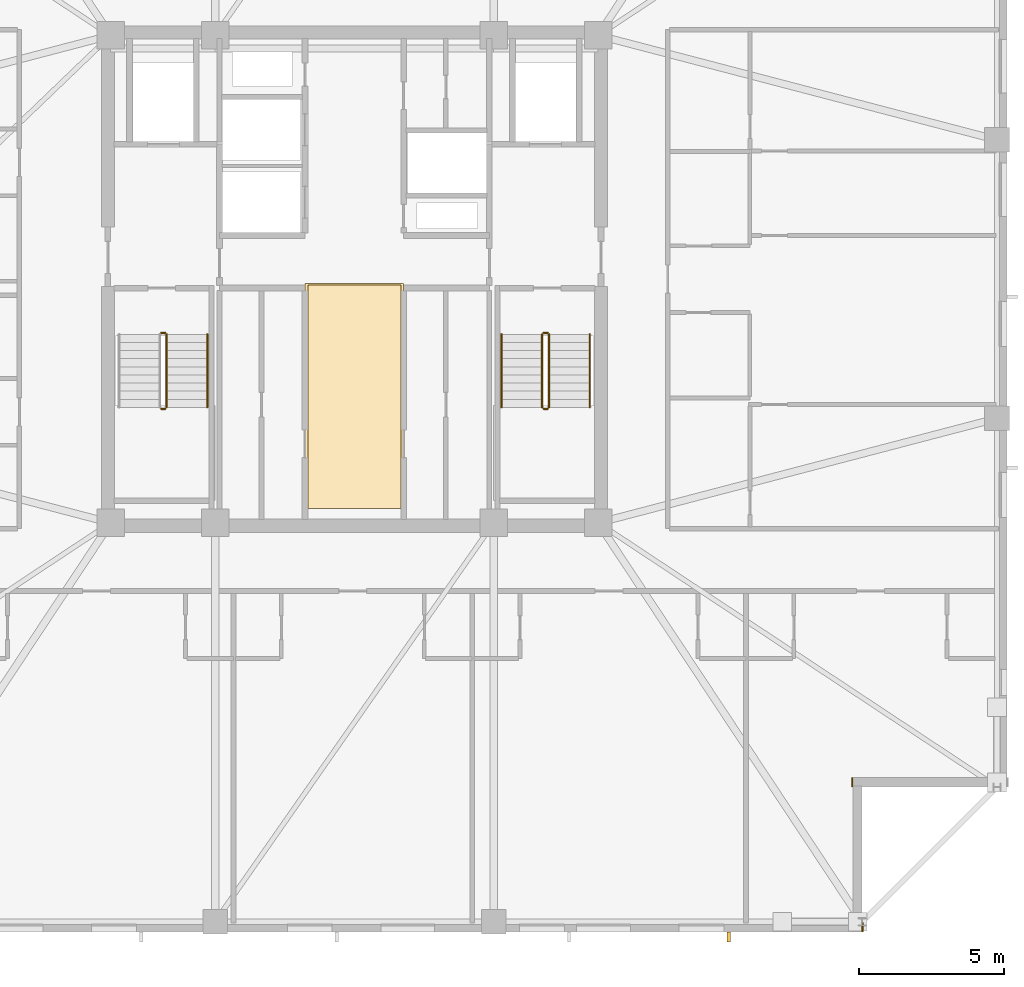
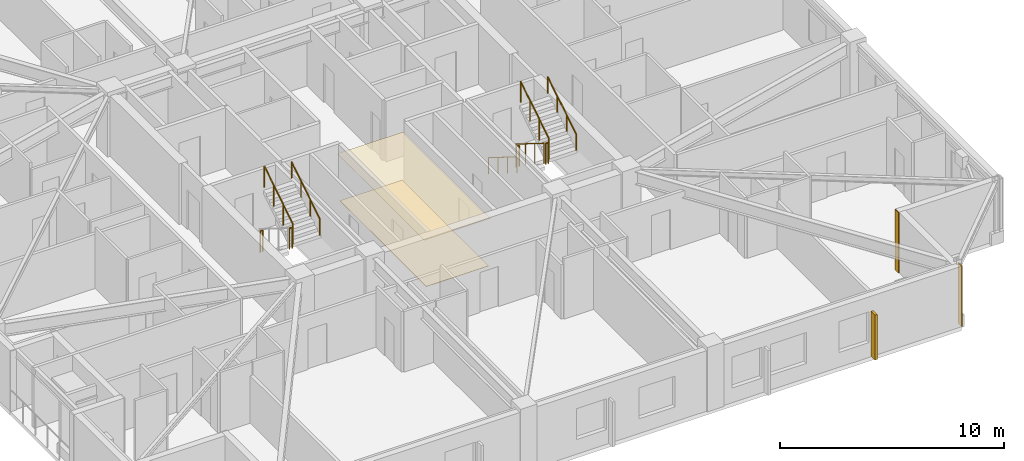
# One storey, part 14 of 17: 10 railings, 4 coverings, 1 shading device.
"""IFC4 building model written with IfcOpenShell, lengths in metres."""

from ifc_helpers import new_model, si_unit, direction, frame, frame_2d, origin, origin_2d, place, context, subcontext, project, spatial, polyline, rectangle, circle, outline, extrude, material, layer, layer_set, type_object, element, save


model = new_model("IFC4")

# Units and contexts
model_context = context("Model", 3, precision=1e-05, world=origin(), true_north=direction((0.0, 1.0)))
body_context = subcontext(model_context, "Body", "Model", "MODEL_VIEW")
ifc_project = project(units=[si_unit("LENGTHUNIT", "METRE"), si_unit("AREAUNIT", "SQUARE_METRE"), si_unit("VOLUMEUNIT", "CUBIC_METRE"), si_unit("PLANEANGLEUNIT", "RADIAN"), si_unit("MASSUNIT", "GRAM", prefix="KILO")], contexts=[model_context])

# Site, building, storey
site_placement = place(None, origin())
site = spatial("IfcSite", under=ifc_project, at=site_placement, CompositionType="ELEMENT")
building_placement = place(site_placement, origin())
building = spatial("IfcBuilding", under=site, at=building_placement, Name="Cairnveth Concourse Tower", CompositionType="ELEMENT")
storey_placement = place(building_placement, frame((0.0, 0.0, 248.0)))
storey = spatial("IfcBuildingStorey", under=building, at=storey_placement, Name="L68", CompositionType="ELEMENT", Elevation=248.0)

# Coverings
ifc_material_1 = material(Name="Acoustic Mineral Fibre Ceiling", Category="gypsum")
ifc_layer_1 = layer(ifc_material_1, 0.02490234375)
ifc_layer_set_1 = layer_set([ifc_layer_1], Name="Acoustic Mineral Fibre Ceiling")
covering_type_1 = type_object("IfcCoveringType", Name="ACOUSTIC MINERAL FIBRE CEILING 25", PredefinedType="CEILING", material=ifc_layer_set_1)
covering_1_placement = place(storey_placement, frame((0.0, 0.0, 2.55810546875)))
element("IfcCovering", 1, at=covering_1_placement, inside=storey, type_object=covering_type_1, Name="Lift Lobby Acoustic Ceiling L68", PredefinedType="CEILING", context=body_context, shape_type="SweptSolid", body=[
    extrude(outline(polyline([(50.300048828125, 31.10009765625), (53.699951171875, 31.10009765625), (53.699951171875, 38.85009765625), (50.300048828125, 38.85009765625), (50.300048828125, 31.10009765625)])), origin(), (0.0, 0.0, 1.0), 0.02490234375),
])
ifc_material_2 = material(Name="Dressed Melbourne Bluestone Cladding", Category="masonry")
ifc_layer_2 = layer(ifc_material_2, 0.050048828125)
ifc_layer_set_2 = layer_set([ifc_layer_2], Name="Dressed Melbourne Bluestone Cladding")
covering_type_2 = type_object("IfcCoveringType", Name="DRESSED BLUESTONE PLINTH CLADDING 50", PredefinedType="CLADDING", material=ifc_layer_set_2)
for number, where, z_axis, x_axis, name in (
    (2, (69.159912109375, 21.820068359375, 0.0), (0.0, 0.0, 1.0), (0.0, -1.0, 0.0), "Melbourne Bluestone Corner Quoin L68-1031"),
    (3, (69.52001953125, 16.820068359375, 0.0), (0.0, 0.0, 1.0), (0.0, -1.0, 0.0), "Melbourne Bluestone Corner Quoin L68-1032"),
):
    element("IfcCovering", number, at=place(storey_placement, frame(where, z_axis=z_axis, x_axis=x_axis)), inside=storey, type_object=covering_type_2, Name=name, PredefinedType="CLADDING", context=body_context, shape_type="SweptSolid", body=[
        extrude(rectangle(XDim=0.320068359375, YDim=0.050048828125, at=frame_2d((0.16015625, 0.0))), origin(), (0.0, 0.0, 1.0), 3.2900390625),
    ])

# Shading device
ifc_material_3 = material(Name="Architectural Bronze Anodised Aluminium 6063-T6", Category="aluminium")
shading_device_type = type_object("IfcShadingDeviceType", Name="GOTHIC BRONZE VERTICAL LANCET FIN", PredefinedType="USERDEFINED", material=ifc_material_3)
shading_device_placement = place(storey_placement, frame((64.8974609375, 16.324951171875, 0.030029296875), z_axis=(0.0, 0.0, 1.0), x_axis=(1.0, 0.0, 0.0)))
element("IfcShadingDevice", 4, at=shading_device_placement, inside=storey, type_object=shading_device_type, Name="Gothic Bronze Vertical Fin L68-9-1", ObjectType="VERTICAL FIN", PredefinedType="USERDEFINED", context=body_context, shape_type="SweptSolid", body=[
    extrude(rectangle(XDim=0.1201171875, YDim=0.360107421875, at=origin_2d()), origin(), (0.0, 0.0, 1.0), 2.43798828125),
])

# Railings
ifc_material_4 = material(Name="Steel Grade 350", Category="steel")
railing_type_1 = type_object("IfcRailingType", Name="STAIR GUARDRAIL 1150", PredefinedType="GUARDRAIL", material=ifc_material_4)
railing_1_placement = place(storey_placement, frame((45.340087890625, 34.530029296875, 1.75)))
element("IfcRailing", 5, at=railing_1_placement, inside=storey, type_object=railing_type_1, Name="L68 ST-1 stair guard 2", PredefinedType="GUARDRAIL", context=body_context, shape_type="SweptSolid", body=[
    extrude(circle(Radius=0.02392578125, at=origin_2d()), frame((0.0, 0.0, 1.1259765625), z_axis=(1.0, 0.0, 0.0), x_axis=(0.0, 1.0, 0.0)), (0.0, 0.0, 1.0), 0.139892578125),
    extrude(circle(Radius=0.02099609375, at=origin_2d()), origin(), (0.0, 0.0, 1.0), 1.101806640625),
    extrude(circle(Radius=0.02099609375, at=origin_2d()), frame((0.139892578125, 0.0, 0.0)), (0.0, 0.0, 1.0), 1.101806640625),
])
railing_2_placement = place(storey_placement, frame((45.530029296875, 34.580078125, 1.925048828125)))
element("IfcRailing", 6, at=railing_2_placement, inside=storey, type_object=railing_type_1, Name="L68 ST-1 stair guard 3", PredefinedType="GUARDRAIL", context=body_context, shape_type="SweptSolid", body=[
    extrude(circle(Radius=0.02392578125, at=origin_2d()), frame((0.0, 0.0, 1.1259765625), z_axis=(0.0, 0.848007534815, 0.529984170421), x_axis=(-1.0, 0.0, 0.0)), (0.0, 0.0, 1.0), 2.9716796875),
    extrude(circle(Radius=0.02099609375, at=origin_2d()), origin(), (0.0, 0.0, 1.0), 1.101806640625),
    extrude(circle(Radius=0.02099609375, at=origin_2d()), frame((0.0, 0.840087890625, 0.52490234375)), (0.0, 0.0, 1.0), 1.101806640625),
    extrude(circle(Radius=0.02099609375, at=origin_2d()), frame((0.0, 1.679931640625, 1.050048828125)), (0.0, 0.0, 1.0), 1.101806640625),
    extrude(circle(Radius=0.02099609375, at=origin_2d()), frame((0.0, 2.52001953125, 1.574951171875)), (0.0, 0.0, 1.0), 1.101806640625),
])
railing_3_placement = place(storey_placement, frame((45.340087890625, 37.14990234375, 0.0)))
element("IfcRailing", 7, at=railing_3_placement, inside=storey, type_object=railing_type_1, Name="L68 ST-1 stair guard 4", PredefinedType="GUARDRAIL", context=body_context, shape_type="SweptSolid", body=[
    extrude(circle(Radius=0.02392578125, at=origin_2d()), frame((0.0, 0.0, 1.1259765625), z_axis=(1.0, 0.0, 0.0), x_axis=(0.0, 1.0, 0.0)), (0.0, 0.0, 1.0), 0.139892578125),
    extrude(circle(Radius=0.02099609375, at=origin_2d()), origin(), (0.0, 0.0, 1.0), 1.101806640625),
    extrude(circle(Radius=0.02099609375, at=origin_2d()), frame((0.139892578125, 0.0, 0.0)), (0.0, 0.0, 1.0), 1.101806640625),
])
railing_4_placement = place(storey_placement, frame((58.469970703125, 37.10009765625, 0.175048828125)))
element("IfcRailing", 8, at=railing_4_placement, inside=storey, type_object=railing_type_1, Name="L68 ST-2 stair guard 1", PredefinedType="GUARDRAIL", context=body_context, shape_type="SweptSolid", body=[
    extrude(circle(Radius=0.02392578125, at=origin_2d()), frame((0.0, 0.0, 1.1259765625), z_axis=(0.0, -0.848007534815, 0.529984170421), x_axis=(1.0, 0.0, 0.0)), (0.0, 0.0, 1.0), 2.9716796875),
    extrude(circle(Radius=0.02099609375, at=origin_2d()), origin(), (0.0, 0.0, 1.0), 1.101806640625),
    extrude(circle(Radius=0.02099609375, at=origin_2d()), frame((0.0, -0.840087890625, 0.52490234375)), (0.0, 0.0, 1.0), 1.101806640625),
    extrude(circle(Radius=0.02099609375, at=origin_2d()), frame((0.0, -1.679931640625, 1.050048828125)), (0.0, 0.0, 1.0), 1.101806640625),
    extrude(circle(Radius=0.02099609375, at=origin_2d()), frame((0.0, -2.52001953125, 1.574951171875)), (0.0, 0.0, 1.0), 1.101806640625),
])
railing_5_placement = place(storey_placement, frame((58.52001953125, 34.530029296875, 1.75)))
element("IfcRailing", 9, at=railing_5_placement, inside=storey, type_object=railing_type_1, Name="L68 ST-2 stair guard 2", PredefinedType="GUARDRAIL", context=body_context, shape_type="SweptSolid", body=[
    extrude(circle(Radius=0.02392578125, at=origin_2d()), frame((0.0, 0.0, 1.1259765625), z_axis=(1.0, 0.0, 0.0), x_axis=(0.0, 1.0, 0.0)), (0.0, 0.0, 1.0), 0.139892578125),
    extrude(circle(Radius=0.02099609375, at=origin_2d()), origin(), (0.0, 0.0, 1.0), 1.101806640625),
    extrude(circle(Radius=0.02099609375, at=origin_2d()), frame((0.139892578125, 0.0, 0.0)), (0.0, 0.0, 1.0), 1.101806640625),
])
railing_6_placement = place(storey_placement, frame((58.7099609375, 34.580078125, 1.925048828125)))
element("IfcRailing", 10, at=railing_6_placement, inside=storey, type_object=railing_type_1, Name="L68 ST-2 stair guard 3", PredefinedType="GUARDRAIL", context=body_context, shape_type="SweptSolid", body=[
    extrude(circle(Radius=0.02392578125, at=origin_2d()), frame((0.0, 0.0, 1.1259765625), z_axis=(0.0, 0.848007534815, 0.529984170421), x_axis=(-1.0, 0.0, 0.0)), (0.0, 0.0, 1.0), 2.9716796875),
    extrude(circle(Radius=0.02099609375, at=origin_2d()), origin(), (0.0, 0.0, 1.0), 1.101806640625),
    extrude(circle(Radius=0.02099609375, at=origin_2d()), frame((0.0, 0.840087890625, 0.52490234375)), (0.0, 0.0, 1.0), 1.101806640625),
    extrude(circle(Radius=0.02099609375, at=origin_2d()), frame((0.0, 1.679931640625, 1.050048828125)), (0.0, 0.0, 1.0), 1.101806640625),
    extrude(circle(Radius=0.02099609375, at=origin_2d()), frame((0.0, 2.52001953125, 1.574951171875)), (0.0, 0.0, 1.0), 1.101806640625),
])
railing_7_placement = place(storey_placement, frame((58.52001953125, 37.14990234375, 0.0)))
element("IfcRailing", 11, at=railing_7_placement, inside=storey, type_object=railing_type_1, Name="L68 ST-2 stair guard 4", PredefinedType="GUARDRAIL", context=body_context, shape_type="SweptSolid", body=[
    extrude(circle(Radius=0.02392578125, at=origin_2d()), frame((0.0, 0.0, 1.1259765625), z_axis=(1.0, 0.0, 0.0), x_axis=(0.0, 1.0, 0.0)), (0.0, 0.0, 1.0), 0.139892578125),
    extrude(circle(Radius=0.02099609375, at=origin_2d()), origin(), (0.0, 0.0, 1.0), 1.101806640625),
    extrude(circle(Radius=0.02099609375, at=origin_2d()), frame((0.139892578125, 0.0, 0.0)), (0.0, 0.0, 1.0), 1.101806640625),
])
railing_type_2 = type_object("IfcRailingType", Name="STAIR WALL HANDRAIL 900", PredefinedType="HANDRAIL", material=ifc_material_4)
railing_8_placement = place(storey_placement, frame((46.929931640625, 34.580078125, 1.925048828125)))
element("IfcRailing", 12, at=railing_8_placement, inside=storey, type_object=railing_type_2, Name="L68 ST-1 stair handrail 2", PredefinedType="HANDRAIL", context=body_context, shape_type="SweptSolid", body=[
    extrude(circle(Radius=0.02392578125, at=origin_2d()), frame((0.0, 0.0, 0.8759765625), z_axis=(0.0, 0.848007534815, 0.529984170421), x_axis=(-1.0, 0.0, 0.0)), (0.0, 0.0, 1.0), 2.9716796875),
    extrude(circle(Radius=0.02099609375, at=origin_2d()), origin(), (0.0, 0.0, 1.0), 0.851806640625),
    extrude(circle(Radius=0.02099609375, at=origin_2d()), frame((0.0, 0.840087890625, 0.52490234375)), (0.0, 0.0, 1.0), 0.851806640625),
    extrude(circle(Radius=0.02099609375, at=origin_2d()), frame((0.0, 1.679931640625, 1.050048828125)), (0.0, 0.0, 1.0), 0.851806640625),
    extrude(circle(Radius=0.02099609375, at=origin_2d()), frame((0.0, 2.52001953125, 1.574951171875)), (0.0, 0.0, 1.0), 0.851806640625),
])
railing_9_placement = place(storey_placement, frame((57.070068359375, 37.10009765625, 0.175048828125)))
element("IfcRailing", 13, at=railing_9_placement, inside=storey, type_object=railing_type_2, Name="L68 ST-2 stair handrail 1", PredefinedType="HANDRAIL", context=body_context, shape_type="SweptSolid", body=[
    extrude(circle(Radius=0.02392578125, at=origin_2d()), frame((0.0, 0.0, 0.8759765625), z_axis=(0.0, -0.848007534815, 0.529984170421), x_axis=(1.0, 0.0, 0.0)), (0.0, 0.0, 1.0), 2.9716796875),
    extrude(circle(Radius=0.02099609375, at=origin_2d()), origin(), (0.0, 0.0, 1.0), 0.851806640625),
    extrude(circle(Radius=0.02099609375, at=origin_2d()), frame((0.0, -0.840087890625, 0.52490234375)), (0.0, 0.0, 1.0), 0.851806640625),
    extrude(circle(Radius=0.02099609375, at=origin_2d()), frame((0.0, -1.679931640625, 1.050048828125)), (0.0, 0.0, 1.0), 0.851806640625),
    extrude(circle(Radius=0.02099609375, at=origin_2d()), frame((0.0, -2.52001953125, 1.574951171875)), (0.0, 0.0, 1.0), 0.851806640625),
])
railing_10_placement = place(storey_placement, frame((60.110107421875, 34.580078125, 1.925048828125)))
element("IfcRailing", 14, at=railing_10_placement, inside=storey, type_object=railing_type_2, Name="L68 ST-2 stair handrail 2", PredefinedType="HANDRAIL", context=body_context, shape_type="SweptSolid", body=[
    extrude(circle(Radius=0.02392578125, at=origin_2d()), frame((0.0, 0.0, 0.8759765625), z_axis=(0.0, 0.848007534815, 0.529984170421), x_axis=(-1.0, 0.0, 0.0)), (0.0, 0.0, 1.0), 2.9716796875),
    extrude(circle(Radius=0.02099609375, at=origin_2d()), origin(), (0.0, 0.0, 1.0), 0.851806640625),
    extrude(circle(Radius=0.02099609375, at=origin_2d()), frame((0.0, 0.840087890625, 0.52490234375)), (0.0, 0.0, 1.0), 0.851806640625),
    extrude(circle(Radius=0.02099609375, at=origin_2d()), frame((0.0, 1.679931640625, 1.050048828125)), (0.0, 0.0, 1.0), 0.851806640625),
    extrude(circle(Radius=0.02099609375, at=origin_2d()), frame((0.0, 2.52001953125, 1.574951171875)), (0.0, 0.0, 1.0), 0.851806640625),
])

# Covering
ifc_material_5 = material(Name="Vitrified Stoneware Tile Flooring", Category="masonry")
ifc_layer_3 = layer(ifc_material_5, 0.02001953125)
ifc_layer_set_3 = layer_set([ifc_layer_3], Name="Vitrified Stoneware Tile Flooring")
covering_type_3 = type_object("IfcCoveringType", Name="VITRIFIED STONEWARE LOBBY FLOORING 20", PredefinedType="FLOORING", material=ifc_layer_set_3)
covering_2_placement = place(storey_placement, origin())
element("IfcCovering", 15, at=covering_2_placement, inside=storey, type_object=covering_type_3, Name="Lift Lobby Stoneware Flooring L68", PredefinedType="FLOORING", context=body_context, shape_type="SweptSolid", body=[
    extrude(outline(polyline([(50.39990234375, 31.10009765625), (53.60009765625, 31.10009765625), (53.60009765625, 38.800048828125), (50.39990234375, 38.800048828125), (50.39990234375, 31.10009765625)])), origin(), (0.0, 0.0, 1.0), 0.02001953125),
])

save(model, "model.ifc")
